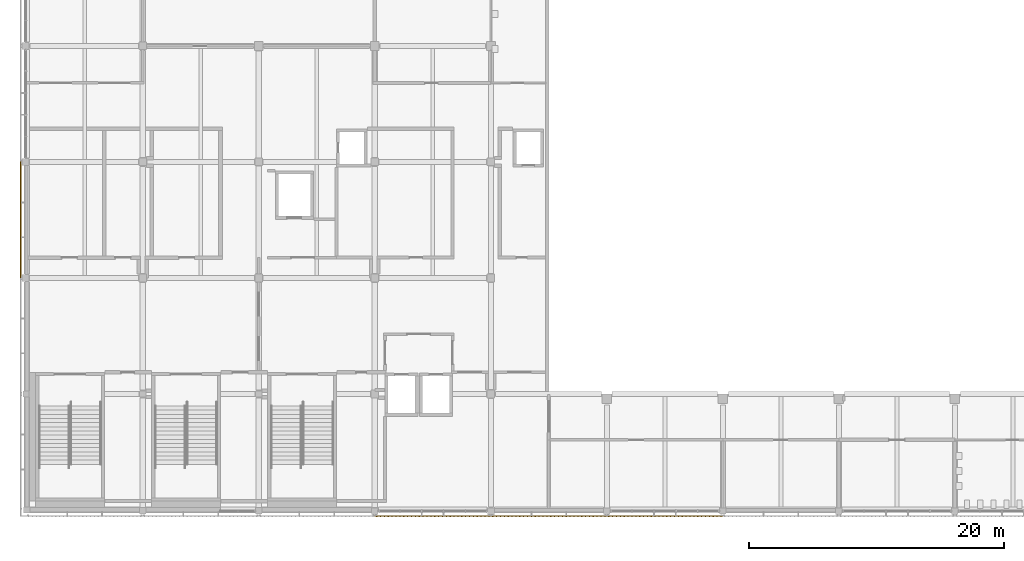
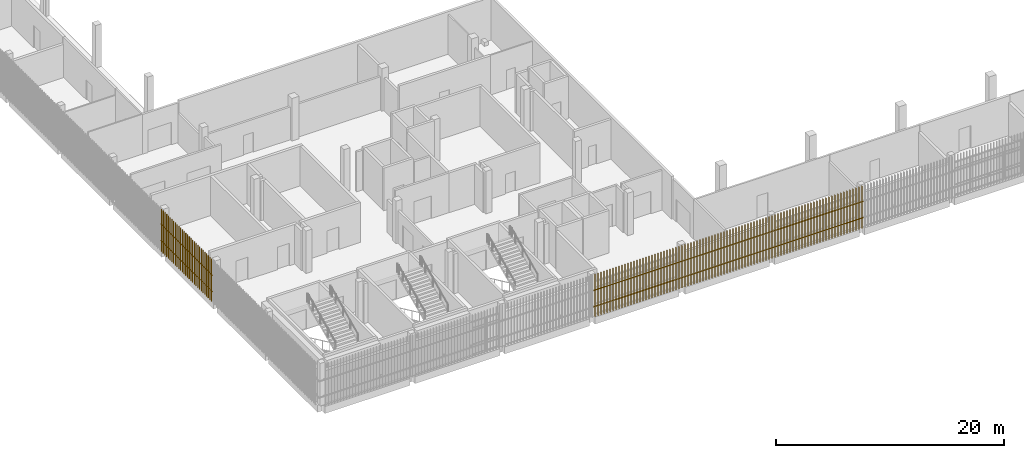
# One storey, part 105 of 124: 4 shading devices.
"""IFC4 building model written with IfcOpenShell, lengths in metres."""

from ifc_helpers import new_model, si_unit, direction, frame, origin, origin_2d, place, context, subcontext, project, spatial, rectangle, extrude, material, type_object, element, save


model = new_model("IFC4")

# Units and contexts
model_context = context("Model", 3, precision=1e-05, world=origin(), true_north=direction((0.0, 1.0)))
body_context = subcontext(model_context, "Body", "Model", "MODEL_VIEW")
ifc_project = project(units=[si_unit("LENGTHUNIT", "METRE"), si_unit("AREAUNIT", "SQUARE_METRE"), si_unit("VOLUMEUNIT", "CUBIC_METRE"), si_unit("PLANEANGLEUNIT", "RADIAN"), si_unit("MASSUNIT", "GRAM", prefix="KILO")], contexts=[model_context])

# Site, building, storey
site_placement = place(None, origin())
site = spatial("IfcSite", under=ifc_project, at=site_placement, CompositionType="ELEMENT")
building_placement = place(site_placement, origin())
building = spatial("IfcBuilding", under=site, at=building_placement, Name="Shirokan Park Arena", CompositionType="ELEMENT")
storey_placement = place(building_placement, frame((0.0, 0.0, 20.02001953125)))
storey = spatial("IfcBuildingStorey", under=building, at=storey_placement, Name="L04", CompositionType="ELEMENT", Elevation=20.02001953125)

# Shading devices
ifc_material = material(Name="Timber louvre veil (cedar)", Category="wood")
shading_device_type = type_object("IfcShadingDeviceType", Name="Timber louvre veil panel", PredefinedType="JALOUSIE", material=ifc_material)
shading_device_1_placement = place(storey_placement, origin())
element("IfcShadingDevice", 1, at=shading_device_1_placement, inside=storey, type_object=shading_device_type, Name="Timber louvre veil south bay 4 L04", PredefinedType="JALOUSIE", context=body_context, shape_type="SweptSolid", body=[
    extrude(rectangle(XDim=0.050048828125, YDim=0.080078125, at=origin_2d()), frame((27.45166015625, -0.485107421875, 0.0), z_axis=(0.0, 0.0, 1.0), x_axis=(1.0, 0.0, 0.0)), (0.0, 0.0, 1.0), 4.550048828125),
    extrude(rectangle(XDim=0.050048828125, YDim=0.080078125, at=origin_2d()), frame((27.7548828125, -0.485107421875, 0.0), z_axis=(0.0, 0.0, 1.0), x_axis=(1.0, 0.0, 0.0)), (0.0, 0.0, 1.0), 4.550048828125),
    extrude(rectangle(XDim=0.050048828125, YDim=0.080078125, at=origin_2d()), frame((28.058349609375, -0.485107421875, 0.0), z_axis=(0.0, 0.0, 1.0), x_axis=(1.0, 0.0, 0.0)), (0.0, 0.0, 1.0), 4.550048828125),
    extrude(rectangle(XDim=0.050048828125, YDim=0.080078125, at=origin_2d()), frame((28.361572265625, -0.485107421875, 0.0), z_axis=(0.0, 0.0, 1.0), x_axis=(1.0, 0.0, 0.0)), (0.0, 0.0, 1.0), 4.550048828125),
    extrude(rectangle(XDim=0.050048828125, YDim=0.080078125, at=origin_2d()), frame((28.6650390625, -0.485107421875, 0.0), z_axis=(0.0, 0.0, 1.0), x_axis=(1.0, 0.0, 0.0)), (0.0, 0.0, 1.0), 4.550048828125),
    extrude(rectangle(XDim=0.050048828125, YDim=0.080078125, at=origin_2d()), frame((28.96826171875, -0.485107421875, 0.0), z_axis=(0.0, 0.0, 1.0), x_axis=(1.0, 0.0, 0.0)), (0.0, 0.0, 1.0), 4.550048828125),
    extrude(rectangle(XDim=0.050048828125, YDim=0.080078125, at=origin_2d()), frame((29.271728515625, -0.485107421875, 0.0), z_axis=(0.0, 0.0, 1.0), x_axis=(1.0, 0.0, 0.0)), (0.0, 0.0, 1.0), 4.550048828125),
    extrude(rectangle(XDim=0.050048828125, YDim=0.080078125, at=origin_2d()), frame((29.574951171875, -0.485107421875, 0.0), z_axis=(0.0, 0.0, 1.0), x_axis=(1.0, 0.0, 0.0)), (0.0, 0.0, 1.0), 4.550048828125),
    extrude(rectangle(XDim=0.050048828125, YDim=0.080078125, at=origin_2d()), frame((29.87841796875, -0.485107421875, 0.0), z_axis=(0.0, 0.0, 1.0), x_axis=(1.0, 0.0, 0.0)), (0.0, 0.0, 1.0), 4.550048828125),
    extrude(rectangle(XDim=0.050048828125, YDim=0.080078125, at=origin_2d()), frame((30.181640625, -0.485107421875, 0.0), z_axis=(0.0, 0.0, 1.0), x_axis=(1.0, 0.0, 0.0)), (0.0, 0.0, 1.0), 4.550048828125),
    extrude(rectangle(XDim=0.050048828125, YDim=0.080078125, at=origin_2d()), frame((30.485107421875, -0.485107421875, 0.0), z_axis=(0.0, 0.0, 1.0), x_axis=(1.0, 0.0, 0.0)), (0.0, 0.0, 1.0), 4.550048828125),
    extrude(rectangle(XDim=0.050048828125, YDim=0.080078125, at=origin_2d()), frame((30.788330078125, -0.485107421875, 0.0), z_axis=(0.0, 0.0, 1.0), x_axis=(1.0, 0.0, 0.0)), (0.0, 0.0, 1.0), 4.550048828125),
    extrude(rectangle(XDim=0.050048828125, YDim=0.080078125, at=origin_2d()), frame((31.091552734375, -0.485107421875, 0.0), z_axis=(0.0, 0.0, 1.0), x_axis=(1.0, 0.0, 0.0)), (0.0, 0.0, 1.0), 4.550048828125),
    extrude(rectangle(XDim=0.050048828125, YDim=0.080078125, at=origin_2d()), frame((31.39501953125, -0.485107421875, 0.0), z_axis=(0.0, 0.0, 1.0), x_axis=(1.0, 0.0, 0.0)), (0.0, 0.0, 1.0), 4.550048828125),
    extrude(rectangle(XDim=0.050048828125, YDim=0.080078125, at=origin_2d()), frame((31.6982421875, -0.485107421875, 0.0), z_axis=(0.0, 0.0, 1.0), x_axis=(1.0, 0.0, 0.0)), (0.0, 0.0, 1.0), 4.550048828125),
    extrude(rectangle(XDim=0.050048828125, YDim=0.080078125, at=origin_2d()), frame((32.001708984375, -0.485107421875, 0.0), z_axis=(0.0, 0.0, 1.0), x_axis=(1.0, 0.0, 0.0)), (0.0, 0.0, 1.0), 4.550048828125),
    extrude(rectangle(XDim=0.050048828125, YDim=0.080078125, at=origin_2d()), frame((32.304931640625, -0.485107421875, 0.0), z_axis=(0.0, 0.0, 1.0), x_axis=(1.0, 0.0, 0.0)), (0.0, 0.0, 1.0), 4.550048828125),
    extrude(rectangle(XDim=0.050048828125, YDim=0.080078125, at=origin_2d()), frame((32.6083984375, -0.485107421875, 0.0), z_axis=(0.0, 0.0, 1.0), x_axis=(1.0, 0.0, 0.0)), (0.0, 0.0, 1.0), 4.550048828125),
    extrude(rectangle(XDim=0.050048828125, YDim=0.080078125, at=origin_2d()), frame((32.91162109375, -0.485107421875, 0.0), z_axis=(0.0, 0.0, 1.0), x_axis=(1.0, 0.0, 0.0)), (0.0, 0.0, 1.0), 4.550048828125),
    extrude(rectangle(XDim=0.050048828125, YDim=0.080078125, at=origin_2d()), frame((33.215087890625, -0.485107421875, 0.0), z_axis=(0.0, 0.0, 1.0), x_axis=(1.0, 0.0, 0.0)), (0.0, 0.0, 1.0), 4.550048828125),
    extrude(rectangle(XDim=0.050048828125, YDim=0.080078125, at=origin_2d()), frame((33.518310546875, -0.485107421875, 0.0), z_axis=(0.0, 0.0, 1.0), x_axis=(1.0, 0.0, 0.0)), (0.0, 0.0, 1.0), 4.550048828125),
    extrude(rectangle(XDim=0.050048828125, YDim=0.080078125, at=origin_2d()), frame((33.82177734375, -0.485107421875, 0.0), z_axis=(0.0, 0.0, 1.0), x_axis=(1.0, 0.0, 0.0)), (0.0, 0.0, 1.0), 4.550048828125),
    extrude(rectangle(XDim=0.050048828125, YDim=0.080078125, at=origin_2d()), frame((34.125, -0.485107421875, 0.0), z_axis=(0.0, 0.0, 1.0), x_axis=(1.0, 0.0, 0.0)), (0.0, 0.0, 1.0), 4.550048828125),
    extrude(rectangle(XDim=0.050048828125, YDim=0.080078125, at=origin_2d()), frame((34.42822265625, -0.485107421875, 0.0), z_axis=(0.0, 0.0, 1.0), x_axis=(1.0, 0.0, 0.0)), (0.0, 0.0, 1.0), 4.550048828125),
    extrude(rectangle(XDim=0.050048828125, YDim=0.080078125, at=origin_2d()), frame((34.731689453125, -0.485107421875, 0.0), z_axis=(0.0, 0.0, 1.0), x_axis=(1.0, 0.0, 0.0)), (0.0, 0.0, 1.0), 4.550048828125),
    extrude(rectangle(XDim=0.050048828125, YDim=0.080078125, at=origin_2d()), frame((35.034912109375, -0.485107421875, 0.0), z_axis=(0.0, 0.0, 1.0), x_axis=(1.0, 0.0, 0.0)), (0.0, 0.0, 1.0), 4.550048828125),
    extrude(rectangle(XDim=0.050048828125, YDim=0.080078125, at=origin_2d()), frame((35.33837890625, -0.485107421875, 0.0), z_axis=(0.0, 0.0, 1.0), x_axis=(1.0, 0.0, 0.0)), (0.0, 0.0, 1.0), 4.550048828125),
    extrude(rectangle(XDim=0.050048828125, YDim=0.080078125, at=origin_2d()), frame((35.6416015625, -0.485107421875, 0.0), z_axis=(0.0, 0.0, 1.0), x_axis=(1.0, 0.0, 0.0)), (0.0, 0.0, 1.0), 4.550048828125),
    extrude(rectangle(XDim=0.050048828125, YDim=0.080078125, at=origin_2d()), frame((35.945068359375, -0.485107421875, 0.0), z_axis=(0.0, 0.0, 1.0), x_axis=(1.0, 0.0, 0.0)), (0.0, 0.0, 1.0), 4.550048828125),
    extrude(rectangle(XDim=0.050048828125, YDim=0.080078125, at=origin_2d()), frame((36.248291015625, -0.485107421875, 0.0), z_axis=(0.0, 0.0, 1.0), x_axis=(1.0, 0.0, 0.0)), (0.0, 0.0, 1.0), 4.550048828125),
    extrude(rectangle(XDim=9.10009765625, YDim=0.050048828125, at=origin_2d()), frame((31.85009765625, -0.469970703125, 1.06005859375), z_axis=(0.0, 0.0, 1.0), x_axis=(1.0, 0.0, 0.0)), (0.0, 0.0, 1.0), 0.080078125),
    extrude(rectangle(XDim=9.10009765625, YDim=0.050048828125, at=origin_2d()), frame((31.85009765625, -0.469970703125, 2.81005859375), z_axis=(0.0, 0.0, 1.0), x_axis=(1.0, 0.0, 0.0)), (0.0, 0.0, 1.0), 0.080078125),
])
shading_device_2_placement = place(storey_placement, origin())
element("IfcShadingDevice", 2, at=shading_device_2_placement, inside=storey, type_object=shading_device_type, Name="Timber louvre veil south bay 5 L04", PredefinedType="JALOUSIE", context=body_context, shape_type="SweptSolid", body=[
    extrude(rectangle(XDim=0.050048828125, YDim=0.080078125, at=origin_2d()), frame((36.5517578125, -0.485107421875, 0.0), z_axis=(0.0, 0.0, 1.0), x_axis=(1.0, 0.0, 0.0)), (0.0, 0.0, 1.0), 4.550048828125),
    extrude(rectangle(XDim=0.050048828125, YDim=0.080078125, at=origin_2d()), frame((36.85498046875, -0.485107421875, 0.0), z_axis=(0.0, 0.0, 1.0), x_axis=(1.0, 0.0, 0.0)), (0.0, 0.0, 1.0), 4.550048828125),
    extrude(rectangle(XDim=0.050048828125, YDim=0.080078125, at=origin_2d()), frame((37.158447265625, -0.485107421875, 0.0), z_axis=(0.0, 0.0, 1.0), x_axis=(1.0, 0.0, 0.0)), (0.0, 0.0, 1.0), 4.550048828125),
    extrude(rectangle(XDim=0.050048828125, YDim=0.080078125, at=origin_2d()), frame((37.461669921875, -0.485107421875, 0.0), z_axis=(0.0, 0.0, 1.0), x_axis=(1.0, 0.0, 0.0)), (0.0, 0.0, 1.0), 4.550048828125),
    extrude(rectangle(XDim=0.050048828125, YDim=0.080078125, at=origin_2d()), frame((37.764892578125, -0.485107421875, 0.0), z_axis=(0.0, 0.0, 1.0), x_axis=(1.0, 0.0, 0.0)), (0.0, 0.0, 1.0), 4.550048828125),
    extrude(rectangle(XDim=0.050048828125, YDim=0.080078125, at=origin_2d()), frame((38.068359375, -0.485107421875, 0.0), z_axis=(0.0, 0.0, 1.0), x_axis=(1.0, 0.0, 0.0)), (0.0, 0.0, 1.0), 4.550048828125),
    extrude(rectangle(XDim=0.050048828125, YDim=0.080078125, at=origin_2d()), frame((38.37158203125, -0.485107421875, 0.0), z_axis=(0.0, 0.0, 1.0), x_axis=(1.0, 0.0, 0.0)), (0.0, 0.0, 1.0), 4.550048828125),
    extrude(rectangle(XDim=0.050048828125, YDim=0.080078125, at=origin_2d()), frame((38.675048828125, -0.485107421875, 0.0), z_axis=(0.0, 0.0, 1.0), x_axis=(1.0, 0.0, 0.0)), (0.0, 0.0, 1.0), 4.550048828125),
    extrude(rectangle(XDim=0.050048828125, YDim=0.080078125, at=origin_2d()), frame((38.978271484375, -0.485107421875, 0.0), z_axis=(0.0, 0.0, 1.0), x_axis=(1.0, 0.0, 0.0)), (0.0, 0.0, 1.0), 4.550048828125),
    extrude(rectangle(XDim=0.050048828125, YDim=0.080078125, at=origin_2d()), frame((39.28173828125, -0.485107421875, 0.0), z_axis=(0.0, 0.0, 1.0), x_axis=(1.0, 0.0, 0.0)), (0.0, 0.0, 1.0), 4.550048828125),
    extrude(rectangle(XDim=0.050048828125, YDim=0.080078125, at=origin_2d()), frame((39.5849609375, -0.485107421875, 0.0), z_axis=(0.0, 0.0, 1.0), x_axis=(1.0, 0.0, 0.0)), (0.0, 0.0, 1.0), 4.550048828125),
    extrude(rectangle(XDim=0.050048828125, YDim=0.080078125, at=origin_2d()), frame((39.888427734375, -0.485107421875, 0.0), z_axis=(0.0, 0.0, 1.0), x_axis=(1.0, 0.0, 0.0)), (0.0, 0.0, 1.0), 4.550048828125),
    extrude(rectangle(XDim=0.050048828125, YDim=0.080078125, at=origin_2d()), frame((40.191650390625, -0.485107421875, 0.0), z_axis=(0.0, 0.0, 1.0), x_axis=(1.0, 0.0, 0.0)), (0.0, 0.0, 1.0), 4.550048828125),
    extrude(rectangle(XDim=0.050048828125, YDim=0.080078125, at=origin_2d()), frame((40.4951171875, -0.485107421875, 0.0), z_axis=(0.0, 0.0, 1.0), x_axis=(1.0, 0.0, 0.0)), (0.0, 0.0, 1.0), 4.550048828125),
    extrude(rectangle(XDim=0.050048828125, YDim=0.080078125, at=origin_2d()), frame((40.79833984375, -0.485107421875, 0.0), z_axis=(0.0, 0.0, 1.0), x_axis=(1.0, 0.0, 0.0)), (0.0, 0.0, 1.0), 4.550048828125),
    extrude(rectangle(XDim=0.050048828125, YDim=0.080078125, at=origin_2d()), frame((41.1015625, -0.485107421875, 0.0), z_axis=(0.0, 0.0, 1.0), x_axis=(1.0, 0.0, 0.0)), (0.0, 0.0, 1.0), 4.550048828125),
    extrude(rectangle(XDim=0.050048828125, YDim=0.080078125, at=origin_2d()), frame((41.405029296875, -0.485107421875, 0.0), z_axis=(0.0, 0.0, 1.0), x_axis=(1.0, 0.0, 0.0)), (0.0, 0.0, 1.0), 4.550048828125),
    extrude(rectangle(XDim=0.050048828125, YDim=0.080078125, at=origin_2d()), frame((41.708251953125, -0.485107421875, 0.0), z_axis=(0.0, 0.0, 1.0), x_axis=(1.0, 0.0, 0.0)), (0.0, 0.0, 1.0), 4.550048828125),
    extrude(rectangle(XDim=0.050048828125, YDim=0.080078125, at=origin_2d()), frame((42.01171875, -0.485107421875, 0.0), z_axis=(0.0, 0.0, 1.0), x_axis=(1.0, 0.0, 0.0)), (0.0, 0.0, 1.0), 4.550048828125),
    extrude(rectangle(XDim=0.050048828125, YDim=0.080078125, at=origin_2d()), frame((42.31494140625, -0.485107421875, 0.0), z_axis=(0.0, 0.0, 1.0), x_axis=(1.0, 0.0, 0.0)), (0.0, 0.0, 1.0), 4.550048828125),
    extrude(rectangle(XDim=0.050048828125, YDim=0.080078125, at=origin_2d()), frame((42.618408203125, -0.485107421875, 0.0), z_axis=(0.0, 0.0, 1.0), x_axis=(1.0, 0.0, 0.0)), (0.0, 0.0, 1.0), 4.550048828125),
    extrude(rectangle(XDim=0.050048828125, YDim=0.080078125, at=origin_2d()), frame((42.921630859375, -0.485107421875, 0.0), z_axis=(0.0, 0.0, 1.0), x_axis=(1.0, 0.0, 0.0)), (0.0, 0.0, 1.0), 4.550048828125),
    extrude(rectangle(XDim=0.050048828125, YDim=0.080078125, at=origin_2d()), frame((43.22509765625, -0.485107421875, 0.0), z_axis=(0.0, 0.0, 1.0), x_axis=(1.0, 0.0, 0.0)), (0.0, 0.0, 1.0), 4.550048828125),
    extrude(rectangle(XDim=0.050048828125, YDim=0.080078125, at=origin_2d()), frame((43.5283203125, -0.485107421875, 0.0), z_axis=(0.0, 0.0, 1.0), x_axis=(1.0, 0.0, 0.0)), (0.0, 0.0, 1.0), 4.550048828125),
    extrude(rectangle(XDim=0.050048828125, YDim=0.080078125, at=origin_2d()), frame((43.831787109375, -0.485107421875, 0.0), z_axis=(0.0, 0.0, 1.0), x_axis=(1.0, 0.0, 0.0)), (0.0, 0.0, 1.0), 4.550048828125),
    extrude(rectangle(XDim=0.050048828125, YDim=0.080078125, at=origin_2d()), frame((44.135009765625, -0.485107421875, 0.0), z_axis=(0.0, 0.0, 1.0), x_axis=(1.0, 0.0, 0.0)), (0.0, 0.0, 1.0), 4.550048828125),
    extrude(rectangle(XDim=0.050048828125, YDim=0.080078125, at=origin_2d()), frame((44.438232421875, -0.485107421875, 0.0), z_axis=(0.0, 0.0, 1.0), x_axis=(1.0, 0.0, 0.0)), (0.0, 0.0, 1.0), 4.550048828125),
    extrude(rectangle(XDim=0.050048828125, YDim=0.080078125, at=origin_2d()), frame((44.74169921875, -0.485107421875, 0.0), z_axis=(0.0, 0.0, 1.0), x_axis=(1.0, 0.0, 0.0)), (0.0, 0.0, 1.0), 4.550048828125),
    extrude(rectangle(XDim=0.050048828125, YDim=0.080078125, at=origin_2d()), frame((45.044921875, -0.485107421875, 0.0), z_axis=(0.0, 0.0, 1.0), x_axis=(1.0, 0.0, 0.0)), (0.0, 0.0, 1.0), 4.550048828125),
    extrude(rectangle(XDim=0.050048828125, YDim=0.080078125, at=origin_2d()), frame((45.348388671875, -0.485107421875, 0.0), z_axis=(0.0, 0.0, 1.0), x_axis=(1.0, 0.0, 0.0)), (0.0, 0.0, 1.0), 4.550048828125),
    extrude(rectangle(XDim=9.10009765625, YDim=0.050048828125, at=origin_2d()), frame((40.949951171875, -0.469970703125, 1.06005859375), z_axis=(0.0, 0.0, 1.0), x_axis=(1.0, 0.0, 0.0)), (0.0, 0.0, 1.0), 0.080078125),
    extrude(rectangle(XDim=9.10009765625, YDim=0.050048828125, at=origin_2d()), frame((40.949951171875, -0.469970703125, 2.81005859375), z_axis=(0.0, 0.0, 1.0), x_axis=(1.0, 0.0, 0.0)), (0.0, 0.0, 1.0), 0.080078125),
])
shading_device_3_placement = place(storey_placement, origin())
element("IfcShadingDevice", 3, at=shading_device_3_placement, inside=storey, type_object=shading_device_type, Name="Timber louvre veil south bay 6 L04", PredefinedType="JALOUSIE", context=body_context, shape_type="SweptSolid", body=[
    extrude(rectangle(XDim=0.050048828125, YDim=0.080078125, at=origin_2d()), frame((45.651611328125, -0.485107421875, 0.0), z_axis=(0.0, 0.0, 1.0), x_axis=(1.0, 0.0, 0.0)), (0.0, 0.0, 1.0), 4.550048828125),
    extrude(rectangle(XDim=0.050048828125, YDim=0.080078125, at=origin_2d()), frame((45.955078125, -0.485107421875, 0.0), z_axis=(0.0, 0.0, 1.0), x_axis=(1.0, 0.0, 0.0)), (0.0, 0.0, 1.0), 4.550048828125),
    extrude(rectangle(XDim=0.050048828125, YDim=0.080078125, at=origin_2d()), frame((46.25830078125, -0.485107421875, 0.0), z_axis=(0.0, 0.0, 1.0), x_axis=(1.0, 0.0, 0.0)), (0.0, 0.0, 1.0), 4.550048828125),
    extrude(rectangle(XDim=0.050048828125, YDim=0.080078125, at=origin_2d()), frame((46.561767578125, -0.485107421875, 0.0), z_axis=(0.0, 0.0, 1.0), x_axis=(1.0, 0.0, 0.0)), (0.0, 0.0, 1.0), 4.550048828125),
    extrude(rectangle(XDim=0.050048828125, YDim=0.080078125, at=origin_2d()), frame((46.864990234375, -0.485107421875, 0.0), z_axis=(0.0, 0.0, 1.0), x_axis=(1.0, 0.0, 0.0)), (0.0, 0.0, 1.0), 4.550048828125),
    extrude(rectangle(XDim=0.050048828125, YDim=0.080078125, at=origin_2d()), frame((47.168212890625, -0.485107421875, 0.0), z_axis=(0.0, 0.0, 1.0), x_axis=(1.0, 0.0, 0.0)), (0.0, 0.0, 1.0), 4.550048828125),
    extrude(rectangle(XDim=0.050048828125, YDim=0.080078125, at=origin_2d()), frame((47.4716796875, -0.485107421875, 0.0), z_axis=(0.0, 0.0, 1.0), x_axis=(1.0, 0.0, 0.0)), (0.0, 0.0, 1.0), 4.550048828125),
    extrude(rectangle(XDim=0.050048828125, YDim=0.080078125, at=origin_2d()), frame((47.77490234375, -0.485107421875, 0.0), z_axis=(0.0, 0.0, 1.0), x_axis=(1.0, 0.0, 0.0)), (0.0, 0.0, 1.0), 4.550048828125),
    extrude(rectangle(XDim=0.050048828125, YDim=0.080078125, at=origin_2d()), frame((48.078369140625, -0.485107421875, 0.0), z_axis=(0.0, 0.0, 1.0), x_axis=(1.0, 0.0, 0.0)), (0.0, 0.0, 1.0), 4.550048828125),
    extrude(rectangle(XDim=0.050048828125, YDim=0.080078125, at=origin_2d()), frame((48.381591796875, -0.485107421875, 0.0), z_axis=(0.0, 0.0, 1.0), x_axis=(1.0, 0.0, 0.0)), (0.0, 0.0, 1.0), 4.550048828125),
    extrude(rectangle(XDim=0.050048828125, YDim=0.080078125, at=origin_2d()), frame((48.68505859375, -0.485107421875, 0.0), z_axis=(0.0, 0.0, 1.0), x_axis=(1.0, 0.0, 0.0)), (0.0, 0.0, 1.0), 4.550048828125),
    extrude(rectangle(XDim=0.050048828125, YDim=0.080078125, at=origin_2d()), frame((48.98828125, -0.485107421875, 0.0), z_axis=(0.0, 0.0, 1.0), x_axis=(1.0, 0.0, 0.0)), (0.0, 0.0, 1.0), 4.550048828125),
    extrude(rectangle(XDim=0.050048828125, YDim=0.080078125, at=origin_2d()), frame((49.291748046875, -0.485107421875, 0.0), z_axis=(0.0, 0.0, 1.0), x_axis=(1.0, 0.0, 0.0)), (0.0, 0.0, 1.0), 4.550048828125),
    extrude(rectangle(XDim=0.050048828125, YDim=0.080078125, at=origin_2d()), frame((49.594970703125, -0.485107421875, 0.0), z_axis=(0.0, 0.0, 1.0), x_axis=(1.0, 0.0, 0.0)), (0.0, 0.0, 1.0), 4.550048828125),
    extrude(rectangle(XDim=0.050048828125, YDim=0.080078125, at=origin_2d()), frame((49.8984375, -0.485107421875, 0.0), z_axis=(0.0, 0.0, 1.0), x_axis=(1.0, 0.0, 0.0)), (0.0, 0.0, 1.0), 4.550048828125),
    extrude(rectangle(XDim=0.050048828125, YDim=0.080078125, at=origin_2d()), frame((50.20166015625, -0.485107421875, 0.0), z_axis=(0.0, 0.0, 1.0), x_axis=(1.0, 0.0, 0.0)), (0.0, 0.0, 1.0), 4.550048828125),
    extrude(rectangle(XDim=0.050048828125, YDim=0.080078125, at=origin_2d()), frame((50.5048828125, -0.485107421875, 0.0), z_axis=(0.0, 0.0, 1.0), x_axis=(1.0, 0.0, 0.0)), (0.0, 0.0, 1.0), 4.550048828125),
    extrude(rectangle(XDim=0.050048828125, YDim=0.080078125, at=origin_2d()), frame((50.808349609375, -0.485107421875, 0.0), z_axis=(0.0, 0.0, 1.0), x_axis=(1.0, 0.0, 0.0)), (0.0, 0.0, 1.0), 4.550048828125),
    extrude(rectangle(XDim=0.050048828125, YDim=0.080078125, at=origin_2d()), frame((51.111572265625, -0.485107421875, 0.0), z_axis=(0.0, 0.0, 1.0), x_axis=(1.0, 0.0, 0.0)), (0.0, 0.0, 1.0), 4.550048828125),
    extrude(rectangle(XDim=0.050048828125, YDim=0.080078125, at=origin_2d()), frame((51.4150390625, -0.485107421875, 0.0), z_axis=(0.0, 0.0, 1.0), x_axis=(1.0, 0.0, 0.0)), (0.0, 0.0, 1.0), 4.550048828125),
    extrude(rectangle(XDim=0.050048828125, YDim=0.080078125, at=origin_2d()), frame((51.71826171875, -0.485107421875, 0.0), z_axis=(0.0, 0.0, 1.0), x_axis=(1.0, 0.0, 0.0)), (0.0, 0.0, 1.0), 4.550048828125),
    extrude(rectangle(XDim=0.050048828125, YDim=0.080078125, at=origin_2d()), frame((52.021728515625, -0.485107421875, 0.0), z_axis=(0.0, 0.0, 1.0), x_axis=(1.0, 0.0, 0.0)), (0.0, 0.0, 1.0), 4.550048828125),
    extrude(rectangle(XDim=0.050048828125, YDim=0.080078125, at=origin_2d()), frame((52.324951171875, -0.485107421875, 0.0), z_axis=(0.0, 0.0, 1.0), x_axis=(1.0, 0.0, 0.0)), (0.0, 0.0, 1.0), 4.550048828125),
    extrude(rectangle(XDim=0.050048828125, YDim=0.080078125, at=origin_2d()), frame((52.62841796875, -0.485107421875, 0.0), z_axis=(0.0, 0.0, 1.0), x_axis=(1.0, 0.0, 0.0)), (0.0, 0.0, 1.0), 4.550048828125),
    extrude(rectangle(XDim=0.050048828125, YDim=0.080078125, at=origin_2d()), frame((52.931640625, -0.485107421875, 0.0), z_axis=(0.0, 0.0, 1.0), x_axis=(1.0, 0.0, 0.0)), (0.0, 0.0, 1.0), 4.550048828125),
    extrude(rectangle(XDim=0.050048828125, YDim=0.080078125, at=origin_2d()), frame((53.235107421875, -0.485107421875, 0.0), z_axis=(0.0, 0.0, 1.0), x_axis=(1.0, 0.0, 0.0)), (0.0, 0.0, 1.0), 4.550048828125),
    extrude(rectangle(XDim=0.050048828125, YDim=0.080078125, at=origin_2d()), frame((53.538330078125, -0.485107421875, 0.0), z_axis=(0.0, 0.0, 1.0), x_axis=(1.0, 0.0, 0.0)), (0.0, 0.0, 1.0), 4.550048828125),
    extrude(rectangle(XDim=0.050048828125, YDim=0.080078125, at=origin_2d()), frame((53.841552734375, -0.485107421875, 0.0), z_axis=(0.0, 0.0, 1.0), x_axis=(1.0, 0.0, 0.0)), (0.0, 0.0, 1.0), 4.550048828125),
    extrude(rectangle(XDim=0.050048828125, YDim=0.080078125, at=origin_2d()), frame((54.14501953125, -0.485107421875, 0.0), z_axis=(0.0, 0.0, 1.0), x_axis=(1.0, 0.0, 0.0)), (0.0, 0.0, 1.0), 4.550048828125),
    extrude(rectangle(XDim=0.050048828125, YDim=0.080078125, at=origin_2d()), frame((54.4482421875, -0.485107421875, 0.0), z_axis=(0.0, 0.0, 1.0), x_axis=(1.0, 0.0, 0.0)), (0.0, 0.0, 1.0), 4.550048828125),
    extrude(rectangle(XDim=9.10009765625, YDim=0.050048828125, at=origin_2d()), frame((50.050048828125, -0.469970703125, 1.06005859375), z_axis=(0.0, 0.0, 1.0), x_axis=(1.0, 0.0, 0.0)), (0.0, 0.0, 1.0), 0.080078125),
    extrude(rectangle(XDim=9.10009765625, YDim=0.050048828125, at=origin_2d()), frame((50.050048828125, -0.469970703125, 2.81005859375), z_axis=(0.0, 0.0, 1.0), x_axis=(1.0, 0.0, 0.0)), (0.0, 0.0, 1.0), 0.080078125),
])
shading_device_4_placement = place(storey_placement, origin())
element("IfcShadingDevice", 4, at=shading_device_4_placement, inside=storey, type_object=shading_device_type, Name="Timber louvre veil west bay 10 L04", PredefinedType="JALOUSIE", context=body_context, shape_type="SweptSolid", body=[
    extrude(rectangle(XDim=0.050048828125, YDim=0.080078125, at=origin_2d()), frame((-0.485107421875, 27.1484375, 0.0), z_axis=(0.0, 0.0, 1.0), x_axis=(0.0, -1.0, 0.0)), (0.0, 0.0, 1.0), 4.550048828125),
    extrude(rectangle(XDim=0.050048828125, YDim=0.080078125, at=origin_2d()), frame((-0.485107421875, 26.844970703125, 0.0), z_axis=(0.0, 0.0, 1.0), x_axis=(0.0, -1.0, 0.0)), (0.0, 0.0, 1.0), 4.550048828125),
    extrude(rectangle(XDim=0.050048828125, YDim=0.080078125, at=origin_2d()), frame((-0.485107421875, 26.541748046875, 0.0), z_axis=(0.0, 0.0, 1.0), x_axis=(0.0, -1.0, 0.0)), (0.0, 0.0, 1.0), 4.550048828125),
    extrude(rectangle(XDim=0.050048828125, YDim=0.080078125, at=origin_2d()), frame((-0.485107421875, 26.23828125, 0.0), z_axis=(0.0, 0.0, 1.0), x_axis=(0.0, -1.0, 0.0)), (0.0, 0.0, 1.0), 4.550048828125),
    extrude(rectangle(XDim=0.050048828125, YDim=0.080078125, at=origin_2d()), frame((-0.485107421875, 25.93505859375, 0.0), z_axis=(0.0, 0.0, 1.0), x_axis=(0.0, -1.0, 0.0)), (0.0, 0.0, 1.0), 4.550048828125),
    extrude(rectangle(XDim=0.050048828125, YDim=0.080078125, at=origin_2d()), frame((-0.485107421875, 25.631591796875, 0.0), z_axis=(0.0, 0.0, 1.0), x_axis=(0.0, -1.0, 0.0)), (0.0, 0.0, 1.0), 4.550048828125),
    extrude(rectangle(XDim=0.050048828125, YDim=0.080078125, at=origin_2d()), frame((-0.485107421875, 25.328369140625, 0.0), z_axis=(0.0, 0.0, 1.0), x_axis=(0.0, -1.0, 0.0)), (0.0, 0.0, 1.0), 4.550048828125),
    extrude(rectangle(XDim=0.050048828125, YDim=0.080078125, at=origin_2d()), frame((-0.485107421875, 25.02490234375, 0.0), z_axis=(0.0, 0.0, 1.0), x_axis=(0.0, -1.0, 0.0)), (0.0, 0.0, 1.0), 4.550048828125),
    extrude(rectangle(XDim=0.050048828125, YDim=0.080078125, at=origin_2d()), frame((-0.485107421875, 24.7216796875, 0.0), z_axis=(0.0, 0.0, 1.0), x_axis=(0.0, -1.0, 0.0)), (0.0, 0.0, 1.0), 4.550048828125),
    extrude(rectangle(XDim=0.050048828125, YDim=0.080078125, at=origin_2d()), frame((-0.485107421875, 24.418212890625, 0.0), z_axis=(0.0, 0.0, 1.0), x_axis=(0.0, -1.0, 0.0)), (0.0, 0.0, 1.0), 4.550048828125),
    extrude(rectangle(XDim=0.050048828125, YDim=0.080078125, at=origin_2d()), frame((-0.485107421875, 24.114990234375, 0.0), z_axis=(0.0, 0.0, 1.0), x_axis=(0.0, -1.0, 0.0)), (0.0, 0.0, 1.0), 4.550048828125),
    extrude(rectangle(XDim=0.050048828125, YDim=0.080078125, at=origin_2d()), frame((-0.485107421875, 23.811767578125, 0.0), z_axis=(0.0, 0.0, 1.0), x_axis=(0.0, -1.0, 0.0)), (0.0, 0.0, 1.0), 4.550048828125),
    extrude(rectangle(XDim=0.050048828125, YDim=0.080078125, at=origin_2d()), frame((-0.485107421875, 23.50830078125, 0.0), z_axis=(0.0, 0.0, 1.0), x_axis=(0.0, -1.0, 0.0)), (0.0, 0.0, 1.0), 4.550048828125),
    extrude(rectangle(XDim=0.050048828125, YDim=0.080078125, at=origin_2d()), frame((-0.485107421875, 23.205078125, 0.0), z_axis=(0.0, 0.0, 1.0), x_axis=(0.0, -1.0, 0.0)), (0.0, 0.0, 1.0), 4.550048828125),
    extrude(rectangle(XDim=0.050048828125, YDim=0.080078125, at=origin_2d()), frame((-0.485107421875, 22.901611328125, 0.0), z_axis=(0.0, 0.0, 1.0), x_axis=(0.0, -1.0, 0.0)), (0.0, 0.0, 1.0), 4.550048828125),
    extrude(rectangle(XDim=0.050048828125, YDim=0.080078125, at=origin_2d()), frame((-0.485107421875, 22.598388671875, 0.0), z_axis=(0.0, 0.0, 1.0), x_axis=(0.0, -1.0, 0.0)), (0.0, 0.0, 1.0), 4.550048828125),
    extrude(rectangle(XDim=0.050048828125, YDim=0.080078125, at=origin_2d()), frame((-0.485107421875, 22.294921875, 0.0), z_axis=(0.0, 0.0, 1.0), x_axis=(0.0, -1.0, 0.0)), (0.0, 0.0, 1.0), 4.550048828125),
    extrude(rectangle(XDim=0.050048828125, YDim=0.080078125, at=origin_2d()), frame((-0.485107421875, 21.99169921875, 0.0), z_axis=(0.0, 0.0, 1.0), x_axis=(0.0, -1.0, 0.0)), (0.0, 0.0, 1.0), 4.550048828125),
    extrude(rectangle(XDim=0.050048828125, YDim=0.080078125, at=origin_2d()), frame((-0.485107421875, 21.688232421875, 0.0), z_axis=(0.0, 0.0, 1.0), x_axis=(0.0, -1.0, 0.0)), (0.0, 0.0, 1.0), 4.550048828125),
    extrude(rectangle(XDim=0.050048828125, YDim=0.080078125, at=origin_2d()), frame((-0.485107421875, 21.385009765625, 0.0), z_axis=(0.0, 0.0, 1.0), x_axis=(0.0, -1.0, 0.0)), (0.0, 0.0, 1.0), 4.550048828125),
    extrude(rectangle(XDim=0.050048828125, YDim=0.080078125, at=origin_2d()), frame((-0.485107421875, 21.081787109375, 0.0), z_axis=(0.0, 0.0, 1.0), x_axis=(0.0, -1.0, 0.0)), (0.0, 0.0, 1.0), 4.550048828125),
    extrude(rectangle(XDim=0.050048828125, YDim=0.080078125, at=origin_2d()), frame((-0.485107421875, 20.7783203125, 0.0), z_axis=(0.0, 0.0, 1.0), x_axis=(0.0, -1.0, 0.0)), (0.0, 0.0, 1.0), 4.550048828125),
    extrude(rectangle(XDim=0.050048828125, YDim=0.080078125, at=origin_2d()), frame((-0.485107421875, 20.47509765625, 0.0), z_axis=(0.0, 0.0, 1.0), x_axis=(0.0, -1.0, 0.0)), (0.0, 0.0, 1.0), 4.550048828125),
    extrude(rectangle(XDim=0.050048828125, YDim=0.080078125, at=origin_2d()), frame((-0.485107421875, 20.171630859375, 0.0), z_axis=(0.0, 0.0, 1.0), x_axis=(0.0, -1.0, 0.0)), (0.0, 0.0, 1.0), 4.550048828125),
    extrude(rectangle(XDim=0.050048828125, YDim=0.080078125, at=origin_2d()), frame((-0.485107421875, 19.868408203125, 0.0), z_axis=(0.0, 0.0, 1.0), x_axis=(0.0, -1.0, 0.0)), (0.0, 0.0, 1.0), 4.550048828125),
    extrude(rectangle(XDim=0.050048828125, YDim=0.080078125, at=origin_2d()), frame((-0.485107421875, 19.56494140625, 0.0), z_axis=(0.0, 0.0, 1.0), x_axis=(0.0, -1.0, 0.0)), (0.0, 0.0, 1.0), 4.550048828125),
    extrude(rectangle(XDim=0.050048828125, YDim=0.080078125, at=origin_2d()), frame((-0.485107421875, 19.26171875, 0.0), z_axis=(0.0, 0.0, 1.0), x_axis=(0.0, -1.0, 0.0)), (0.0, 0.0, 1.0), 4.550048828125),
    extrude(rectangle(XDim=0.050048828125, YDim=0.080078125, at=origin_2d()), frame((-0.485107421875, 18.958251953125, 0.0), z_axis=(0.0, 0.0, 1.0), x_axis=(0.0, -1.0, 0.0)), (0.0, 0.0, 1.0), 4.550048828125),
    extrude(rectangle(XDim=0.050048828125, YDim=0.080078125, at=origin_2d()), frame((-0.485107421875, 18.655029296875, 0.0), z_axis=(0.0, 0.0, 1.0), x_axis=(0.0, -1.0, 0.0)), (0.0, 0.0, 1.0), 4.550048828125),
    extrude(rectangle(XDim=0.050048828125, YDim=0.080078125, at=origin_2d()), frame((-0.485107421875, 18.3515625, 0.0), z_axis=(0.0, 0.0, 1.0), x_axis=(0.0, -1.0, 0.0)), (0.0, 0.0, 1.0), 4.550048828125),
    extrude(rectangle(XDim=9.10009765625, YDim=0.050048828125, at=origin_2d()), frame((-0.469970703125, 22.75, 1.06005859375), z_axis=(0.0, 0.0, 1.0), x_axis=(0.0, -1.0, 0.0)), (0.0, 0.0, 1.0), 0.080078125),
    extrude(rectangle(XDim=9.10009765625, YDim=0.050048828125, at=origin_2d()), frame((-0.469970703125, 22.75, 2.81005859375), z_axis=(0.0, 0.0, 1.0), x_axis=(0.0, -1.0, 0.0)), (0.0, 0.0, 1.0), 0.080078125),
])

save(model, "model.ifc")
